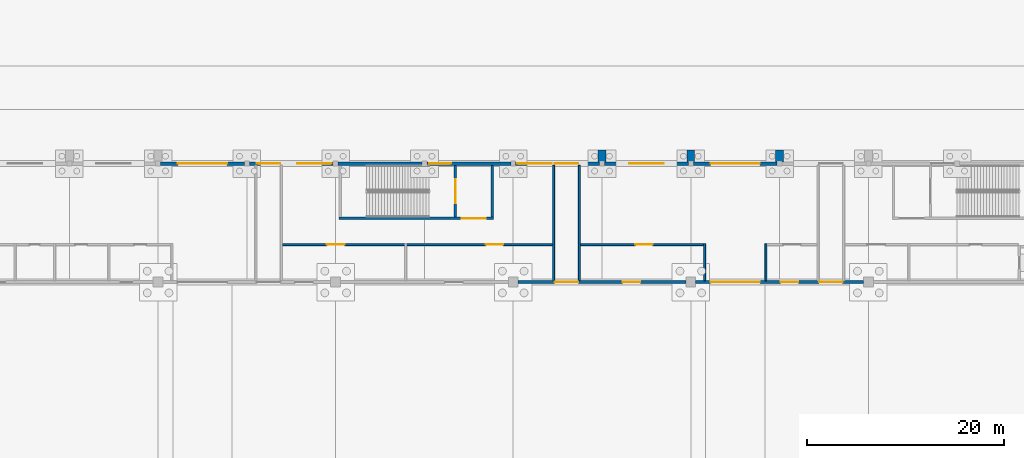
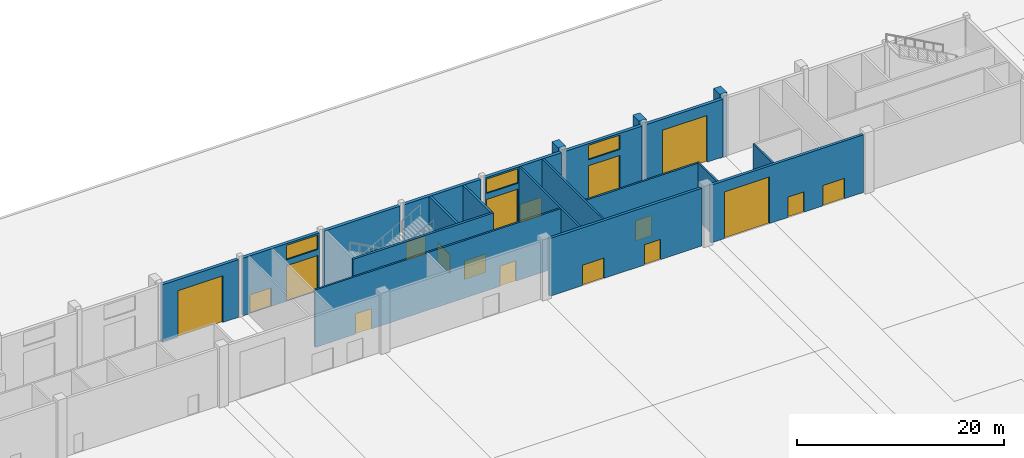
# One storey, part 180 of 239: 21 walls, 18 doors, 3 windows, 21 openings.
"""IFC4 building model written with IfcOpenShell, lengths in metres."""

import ifcopenshell
import ifcopenshell.guid

model = None  # the IFC model being written
_history = None  # IfcOwnerHistory: only IFC2X3 demands one
_inside = {}  # id of a spatial element -> (the spatial element, [elements in it])
_under = {}  # id of a project, library or spatial element -> (it, [spatial elements below it])
_declared = {}  # id of a project -> (the project, [libraries it declares])
_typed = {}  # id of a type object -> (the type object, [elements of that type])
_made_of = {}  # id of a material, layer set ... -> (it, [elements and type objects made of it])


def new_model(schema):
    """Start an empty IFC model of exactly this schema.

    Asked for "IFC4X3", IfcOpenShell would pick the latest addendum, in which some entities
    have other attributes; the version numbers below select the first issue.
    IFC2X3 requires an IfcOwnerHistory on every rooted entity: one is made here for all.
    """
    global model, _history
    if schema == "IFC4X3":
        model = ifcopenshell.file(schema_version=(4, 3, 0, 0))
    else:
        model = ifcopenshell.file(schema=schema)
    _inside.clear()
    _under.clear()
    _declared.clear()
    _typed.clear()
    _made_of.clear()
    _history = None
    if model.schema == "IFC2X3":
        org = make("IfcOrganization", Name="unknown")
        user = make(
            "IfcPersonAndOrganization",
            ThePerson=make("IfcPerson", FamilyName="unknown"),
            TheOrganization=org,
        )
        app = make(
            "IfcApplication",
            ApplicationDeveloper=org,
            Version="unknown",
            ApplicationFullName="unknown",
            ApplicationIdentifier="unknown",
        )
        _history = make(
            "IfcOwnerHistory",
            OwningUser=user,
            OwningApplication=app,
            ChangeAction="ADDED",
            CreationDate=0,
        )
    return model


def make(cls, **values):
    """One entity of the class cls with the attributes given. An attribute that is None is left unset."""
    return model.create_entity(
        cls, **{name: value for name, value in values.items() if value is not None}
    )


def rooted(cls, **values):
    """An entity with a GlobalId (a new one), such as an element, a storey or a relation."""
    return make(cls, GlobalId=ifcopenshell.guid.new(), OwnerHistory=_history, **values)


def si_unit(unit_type, name, prefix=None):
    """IfcSIUnit, for example si_unit("LENGTHUNIT", "METRE", prefix="MILLI")."""
    return make("IfcSIUnit", UnitType=unit_type, Prefix=prefix, Name=name)


def assignment(units):
    """IfcUnitAssignment: the units of a project."""
    return None if units is None else make("IfcUnitAssignment", Units=units)


def point(xyz):
    """IfcCartesianPoint."""
    return None if xyz is None else make("IfcCartesianPoint", Coordinates=xyz)


def direction(xyz):
    """IfcDirection."""
    return None if xyz is None else make("IfcDirection", DirectionRatios=xyz)


def frame(location, z_axis=None, x_axis=None):
    """IfcAxis2Placement3D, a coordinate frame: its origin and axes. An axis left out is left unset."""
    return make(
        "IfcAxis2Placement3D",
        Location=point(location),
        Axis=direction(z_axis),
        RefDirection=direction(x_axis),
    )


def frame_2d(location, x_axis=None):
    """IfcAxis2Placement2D, a coordinate frame in the plane: its origin and x axis."""
    return make(
        "IfcAxis2Placement2D", Location=point(location), RefDirection=direction(x_axis)
    )


def origin():
    """The frame at (0, 0, 0) with its axes left unset."""
    return frame((0.0, 0.0, 0.0))


def place(relative_to, where):
    """IfcLocalPlacement: puts the frame where relative to a parent placement (None: the world)."""
    return make(
        "IfcLocalPlacement", PlacementRelTo=relative_to, RelativePlacement=where
    )


def context(
    kind, dimensions, precision=None, world=None, true_north=None, identifier=None
):
    """IfcGeometricRepresentationContext, for example the 3D "Model" context."""
    return make(
        "IfcGeometricRepresentationContext",
        ContextIdentifier=identifier,
        ContextType=kind,
        CoordinateSpaceDimension=dimensions,
        Precision=precision,
        WorldCoordinateSystem=world,
        TrueNorth=true_north,
    )


def subcontext(parent, identifier, kind, view, scale=None):
    """IfcGeometricRepresentationSubContext, for example "Body" below "Model"."""
    return make(
        "IfcGeometricRepresentationSubContext",
        ContextIdentifier=identifier,
        ContextType=kind,
        ParentContext=parent,
        TargetScale=scale,
        TargetView=view,
    )


def project(units=None, contexts=None):
    """IfcProject with its units and contexts."""
    return rooted(
        "IfcProject",
        Name="project",
        RepresentationContexts=contexts,
        UnitsInContext=assignment(units),
    )


def spatial(cls, under=None, at=None, **own):
    """A site, building, storey or space (cls), placed at a placement, below another one or the project."""
    s = rooted(cls, ObjectPlacement=at, **own)
    if under is not None:
        _under.setdefault(under.id(), (under, []))[1].append(s)
    return s


def profile(cls, at=None, kind="AREA", **sizes):
    """A parametric profile (cls). Its sizes go by their IFC names, for example OverallWidth=200.0."""
    return make(cls, ProfileType=kind, Position=at, **sizes)


def rectangle(**sizes):
    """IfcRectangleProfileDef."""
    return profile("IfcRectangleProfileDef", **sizes)


def extrude(swept, where, along, depth):
    """IfcExtrudedAreaSolid: the profile swept, set in the frame where, extruded along a direction by depth."""
    return make(
        "IfcExtrudedAreaSolid",
        SweptArea=swept,
        Position=where,
        ExtrudedDirection=direction(along),
        Depth=depth,
    )


def shape(context_of_items, identifier, shape_type, items):
    """IfcShapeRepresentation: the items that make up one representation, for example the "Body"."""
    return make(
        "IfcShapeRepresentation",
        ContextOfItems=context_of_items,
        RepresentationIdentifier=identifier,
        RepresentationType=shape_type,
        Items=items,
    )


def material(Name=None, Category=None):
    """IfcMaterial."""
    return make("IfcMaterial", Name=Name, Category=Category)


def layer(
    of_material, thickness, ventilated=None, Name=None, Category=None, Priority=None
):
    """IfcMaterialLayer: one layer of a wall or slab, of a material (None: an air gap)."""
    return make(
        "IfcMaterialLayer",
        Material=of_material,
        LayerThickness=thickness,
        IsVentilated=ventilated,
        Name=Name,
        Category=Category,
        Priority=Priority,
    )


def layer_set(layers, Name=None):
    """IfcMaterialLayerSet."""
    return make("IfcMaterialLayerSet", MaterialLayers=layers, LayerSetName=Name)


def made_of(thing, what):
    """Note that an element or type object is made of a material, layer set ...; save() writes the relation."""
    if what is not None:
        _made_of.setdefault(what.id(), (what, []))[1].append(thing)
    return thing


def type_object(cls, material=None, **own):
    """A type object (cls), such as IfcWallType, which elements share."""
    return made_of(rooted(cls, **own), material)


def element(
    cls,
    number,
    at=None,
    inside=None,
    cuts=None,
    type_object=None,
    material=None,
    context=None,
    identifier="Body",
    shape_type=None,
    held_by="IfcProductDefinitionShape",
    body=None,
    shapes=None,
    **own,
):
    """One element of the class cls, such as IfcWall. Its Tag is "e" and its number.

    at: its placement. inside: the storey or other place that contains it. cuts: it is an
    opening in that element (IfcRelVoidsElement). A single representation is given by context,
    identifier, shape_type and body (its items); several are given by shapes. held_by: the class
    of the entity that holds the representations. save() writes the other relations.
    """
    e = rooted(cls, Tag="e%d" % number, ObjectPlacement=at, **own)
    if body is not None:
        shapes = [shape(context, identifier, shape_type, body)]
    if shapes is not None:
        e.Representation = make(held_by, Representations=shapes)
    if inside is not None:
        _inside.setdefault(inside.id(), (inside, []))[1].append(e)
    if cuts is not None:
        rooted(
            "IfcRelVoidsElement", RelatingBuildingElement=cuts, RelatedOpeningElement=e
        )
    if type_object is not None:
        _typed.setdefault(type_object.id(), (type_object, []))[1].append(e)
    return made_of(e, material)


def fill(opening, filler):
    """IfcRelFillsElement: the door or window that sits in an opening."""
    return rooted(
        "IfcRelFillsElement",
        RelatingOpeningElement=opening,
        RelatedBuildingElement=filler,
    )


def aggregate(whole, parts):
    """IfcRelAggregates: a whole, such as a stair, and the parts it consists of."""
    return rooted("IfcRelAggregates", RelatingObject=whole, RelatedObjects=parts)


def save(model, path):
    """Write the relations noted so far, then the file.

    IfcRelAggregates (storeys below a building ...), IfcRelContainedInSpatialStructure (elements
    in a storey), IfcRelDefinesByType, IfcRelAssociatesMaterial and IfcRelDeclares: one each for
    every whole, place, type object, material and project.
    """
    for whole, parts in _under.values():
        aggregate(whole, parts)
    for where, things in _inside.values():
        rooted(
            "IfcRelContainedInSpatialStructure",
            RelatedElements=things,
            RelatingStructure=where,
        )
    for kind, things in _typed.values():
        rooted("IfcRelDefinesByType", RelatedObjects=things, RelatingType=kind)
    for what, things in _made_of.values():
        rooted("IfcRelAssociatesMaterial", RelatedObjects=things, RelatingMaterial=what)
    for by, libraries in _declared.values():
        rooted("IfcRelDeclares", RelatingContext=by, RelatedDefinitions=libraries)
    model.write(path)


model = new_model("IFC4")

# Units and contexts
model_context = context("Model", 3, precision=1e-05, world=origin(), true_north=direction((0.0, 1.0)))
body_context = subcontext(model_context, "Body", "Model", "MODEL_VIEW")
ifc_project = project(units=[si_unit("LENGTHUNIT", "METRE"), si_unit("AREAUNIT", "SQUARE_METRE"), si_unit("VOLUMEUNIT", "CUBIC_METRE"), si_unit("PLANEANGLEUNIT", "RADIAN"), si_unit("MASSUNIT", "GRAM", prefix="KILO")], contexts=[model_context])

# Site, building, storey
site_placement = place(None, origin())
site = spatial("IfcSite", under=ifc_project, at=site_placement, CompositionType="ELEMENT")
building_placement = place(site_placement, origin())
building = spatial("IfcBuilding", under=site, at=building_placement, Name="Okhra Congress Centre", CompositionType="ELEMENT")
storey_placement = place(building_placement, origin())
storey = spatial("IfcBuildingStorey", under=building, at=storey_placement, Name="L00", CompositionType="ELEMENT", Elevation=0.0)

# Walls
ifc_material_1 = material(Name="Concrete C35/45", Category="concrete")
ifc_layer_1 = layer(ifc_material_1, 0.800048828125)
ifc_layer_set_1 = layer_set([ifc_layer_1], Name="Buttress fin 800 REI 120 C35/45")
wall_type_1 = type_object("IfcWallType", Name="Buttress fin 800 REI 120 C35/45", PredefinedType="SOLIDWALL", material=ifc_layer_set_1)
for number, where, z_axis, x_axis, name in (
    (1, (109.0, 228.169921875, -0.39990234375), (0.0, 0.0, 1.0), (0.0, 1.0, 0.0), "EH.WALL.L00.66"),
    (2, (118.0, 228.169921875, -0.39990234375), (0.0, 0.0, 1.0), (0.0, 1.0, 0.0), "EH.WALL.L00.67"),
    (3, (127.0, 228.169921875, -0.39990234375), (0.0, 0.0, 1.0), (0.0, 1.0, 0.0), "EH.WALL.L00.68"),
):
    element("IfcWall", number, at=place(storey_placement, frame(where, z_axis=z_axis, x_axis=x_axis)), inside=storey, type_object=wall_type_1, Name=name, PredefinedType="SOLIDWALL", context=body_context, shape_type="SweptSolid", body=[
        extrude(rectangle(XDim=1.205078125, YDim=0.800048828125, at=frame_2d((0.6025390625, 0.0))), origin(), (0.0, 0.0, 1.0), 7.599853515625),
    ])

# Wall, opening, door
ifc_material_2 = material(Name="Insulated metal sandwich panel (mineral wool core)")
ifc_layer_2 = layer(ifc_material_2, 0.35009765625)
ifc_layer_set_2 = layer_set([ifc_layer_2], Name="Insulated wall panel 350")
wall_type_2 = type_object("IfcWallType", Name="Insulated wall panel 350", PredefinedType="SOLIDWALL", material=ifc_layer_set_2)
wall_1_placement = place(storey_placement, frame((64.25, 228.0, 0.0), z_axis=(0.0, 0.0, 1.0), x_axis=(1.0, 0.0, 0.0)))
wall_1 = element("IfcWall", 4, at=wall_1_placement, inside=storey, type_object=wall_type_2, Name="EH.WALL.L00.43", PredefinedType="SOLIDWALL", context=body_context, shape_type="SweptSolid", body=[
    extrude(rectangle(XDim=8.5, YDim=0.35009765625, at=frame_2d((4.25, 0.0))), origin(), (0.0, 0.0, 1.0), 6.800048828125),
])
opening_1_placement = place(wall_1_placement, frame((1.75, 0.0, 0.0)))
opening_1 = element("IfcOpeningElement", 5, at=opening_1_placement, cuts=wall_1, Name="Opening L00-046", PredefinedType="OPENING", context=body_context, shape_type="SweptSolid", body=[
    extrude(rectangle(XDim=5.0, YDim=5.5, at=frame_2d((2.5, 2.75))), frame((0.0, 0.18505859375, 0.0), z_axis=(0.0, -1.0, 0.0), x_axis=(1.0, 0.0, 0.0)), (0.0, 0.0, 1.0), 0.3701171875),
])
ifc_material_3 = material(Name="Insulated steel slat roller shutter", Category="steel")
door_type_1 = type_object("IfcDoorType", Name="Roller shutter door 5000x5500", OperationType="ROLLINGUP", PredefinedType="DOOR", material=ifc_material_3)
door_1_placement = place(opening_1_placement, origin())
door_1 = element("IfcDoor", 6, at=door_1_placement, inside=storey, type_object=door_type_1, Name="Door L00-046", OperationType="ROLLINGUP", OverallHeight=5.5, OverallWidth=5.0, PredefinedType="DOOR", context=body_context, shape_type="SweptSolid", body=[
    extrude(rectangle(XDim=5.0, YDim=5.5, at=frame_2d((2.5, 2.75))), frame((0.0, 0.02490234375, 0.0), z_axis=(0.0, -1.0, 0.0), x_axis=(1.0, 0.0, 0.0)), (0.0, 0.0, 1.0), 0.050048828125),
])
fill(opening_1, door_1)

# Wall, openings, doors, window
wall_2_placement = place(storey_placement, frame((73.25, 228.0, 0.0), z_axis=(0.0, 0.0, 1.0), x_axis=(1.0, 0.0, 0.0)))
wall_2 = element("IfcWall", 7, at=wall_2_placement, inside=storey, type_object=wall_type_2, Name="EH.WALL.L00.44", PredefinedType="SOLIDWALL", context=body_context, shape_type="SweptSolid", body=[
    extrude(rectangle(XDim=8.5, YDim=0.35009765625, at=frame_2d((4.25, 0.0))), origin(), (0.0, 0.0, 1.0), 6.800048828125),
])
opening_2_placement = place(wall_2_placement, frame((4.85009765625, 0.0, 0.0)))
opening_2 = element("IfcOpeningElement", 8, at=opening_2_placement, cuts=wall_2, Name="Opening L00-047", PredefinedType="OPENING", context=body_context, shape_type="SweptSolid", body=[
    extrude(rectangle(XDim=3.5, YDim=4.199951171875, at=frame_2d((1.75, 2.10009765625))), frame((0.0, 0.18505859375, 0.0), z_axis=(0.0, -1.0, 0.0), x_axis=(1.0, 0.0, 0.0)), (0.0, 0.0, 1.0), 0.3701171875),
])
opening_3_placement = place(wall_2_placement, frame((4.85009765625, 0.0, 4.89990234375)))
opening_3 = element("IfcOpeningElement", 9, at=opening_3_placement, cuts=wall_2, Name="Opening WN8", PredefinedType="OPENING", context=body_context, shape_type="SweptSolid", body=[
    extrude(rectangle(XDim=3.5, YDim=1.699951171875, at=frame_2d((1.75, 0.85009765625))), frame((0.0, 0.18505859375, 0.0), z_axis=(0.0, -1.0, 0.0), x_axis=(1.0, 0.0, 0.0)), (0.0, 0.0, 1.0), 0.3701171875),
])
opening_4_placement = place(wall_2_placement, frame((0.75, 0.0, 0.0)))
opening_4 = element("IfcOpeningElement", 10, at=opening_4_placement, cuts=wall_2, Name="Opening L00-054", PredefinedType="OPENING", context=body_context, shape_type="SweptSolid", body=[
    extrude(rectangle(XDim=2.39990234375, YDim=2.199951171875, at=frame_2d((1.199951171875, 1.10009765625))), frame((0.0, 0.18505859375, 0.0), z_axis=(0.0, -1.0, 0.0), x_axis=(1.0, 0.0, 0.0)), (0.0, 0.0, 1.0), 0.3701171875),
])
ifc_material_4 = material(Name="Timber door leaves in steel frame", Category="steel")
door_type_2 = type_object("IfcDoorType", Name="Double swing door 2400x2200", OperationType="NOTDEFINED", PredefinedType="DOOR", material=ifc_material_4)
door_2_placement = place(opening_4_placement, origin())
door_2 = element("IfcDoor", 11, at=door_2_placement, inside=storey, type_object=door_type_2, Name="Door L00-054", OperationType="DOUBLE_DOOR_SINGLE_SWING", OverallHeight=2.199951171875, OverallWidth=2.39990234375, PredefinedType="DOOR", context=body_context, shape_type="SweptSolid", body=[
    extrude(rectangle(XDim=2.39990234375, YDim=2.199951171875, at=frame_2d((1.199951171875, 1.10009765625))), frame((0.0, 0.02490234375, 0.0), z_axis=(0.0, -1.0, 0.0), x_axis=(1.0, 0.0, 0.0)), (0.0, 0.0, 1.0), 0.050048828125),
])
fill(opening_4, door_2)
ifc_material_5 = material(Name="Thermally broken aluminium frame, triple glazing", Category="aluminium")
window_type = type_object("IfcWindowType", Name="Fixed window 3500x1700", PartitioningType="SINGLE_PANEL", PredefinedType="WINDOW", material=ifc_material_5)
window_1_placement = place(opening_3_placement, origin())
window_1 = element("IfcWindow", 12, at=window_1_placement, inside=storey, type_object=window_type, Name="EH.WIN.L00.38", OverallHeight=1.699951171875, OverallWidth=3.5, PartitioningType="SINGLE_PANEL", PredefinedType="WINDOW", context=body_context, shape_type="SweptSolid", body=[
    extrude(rectangle(XDim=3.5, YDim=1.699951171875, at=frame_2d((1.75, 0.85009765625))), frame((0.0, 0.030029296875, 0.0), z_axis=(0.0, -1.0, 0.0), x_axis=(1.0, 0.0, 0.0)), (0.0, 0.0, 1.0), 0.06005859375),
])
fill(opening_3, window_1)
door_type_3 = type_object("IfcDoorType", Name="Roller shutter door 3500x4200", OperationType="ROLLINGUP", PredefinedType="DOOR", material=ifc_material_3)
door_3_placement = place(opening_2_placement, origin())
door_3 = element("IfcDoor", 13, at=door_3_placement, inside=storey, type_object=door_type_3, Name="Door L00-047", OperationType="ROLLINGUP", OverallHeight=4.199951171875, OverallWidth=3.5, PredefinedType="DOOR", context=body_context, shape_type="SweptSolid", body=[
    extrude(rectangle(XDim=3.5, YDim=4.199951171875, at=frame_2d((1.75, 2.10009765625))), frame((0.0, 0.02490234375, 0.0), z_axis=(0.0, -1.0, 0.0), x_axis=(1.0, 0.0, 0.0)), (0.0, 0.0, 1.0), 0.050048828125),
])
fill(opening_2, door_3)

wall_3_placement = place(storey_placement, frame((100.25, 228.0, 0.0), z_axis=(0.0, 0.0, 1.0), x_axis=(1.0, 0.0, 0.0)))
wall_3 = element("IfcWall", 14, at=wall_3_placement, inside=storey, type_object=wall_type_2, Name="EH.WALL.L00.47", PredefinedType="SOLIDWALL", context=body_context, shape_type="SweptSolid", body=[
    extrude(rectangle(XDim=8.5, YDim=0.35009765625, at=frame_2d((4.25, 0.0))), origin(), (0.0, 0.0, 1.0), 6.800048828125),
])
opening_5_placement = place(wall_3_placement, frame((0.14990234375, 0.0, 0.0)))
opening_5 = element("IfcOpeningElement", 15, at=opening_5_placement, cuts=wall_3, Name="Opening L00-048", PredefinedType="OPENING", context=body_context, shape_type="SweptSolid", body=[
    extrude(rectangle(XDim=3.5, YDim=4.199951171875, at=frame_2d((1.75, 2.10009765625))), frame((0.0, 0.18505859375, 0.0), z_axis=(0.0, -1.0, 0.0), x_axis=(1.0, 0.0, 0.0)), (0.0, 0.0, 1.0), 0.3701171875),
])
opening_6_placement = place(wall_3_placement, frame((0.14990234375, 0.0, 4.89990234375)))
opening_6 = element("IfcOpeningElement", 16, at=opening_6_placement, cuts=wall_3, Name="Opening WN8", PredefinedType="OPENING", context=body_context, shape_type="SweptSolid", body=[
    extrude(rectangle(XDim=3.5, YDim=1.699951171875, at=frame_2d((1.75, 0.85009765625))), frame((0.0, 0.18505859375, 0.0), z_axis=(0.0, -1.0, 0.0), x_axis=(1.0, 0.0, 0.0)), (0.0, 0.0, 1.0), 0.3701171875),
])
opening_7_placement = place(wall_3_placement, frame((3.949951171875, 0.0, 0.0)))
opening_7 = element("IfcOpeningElement", 17, at=opening_7_placement, cuts=wall_3, Name="Opening L00-055", PredefinedType="OPENING", context=body_context, shape_type="SweptSolid", body=[
    extrude(rectangle(XDim=2.39990234375, YDim=2.199951171875, at=frame_2d((1.199951171875, 1.10009765625))), frame((0.0, 0.18505859375, 0.0), z_axis=(0.0, -1.0, 0.0), x_axis=(1.0, 0.0, 0.0)), (0.0, 0.0, 1.0), 0.3701171875),
])
door_4_placement = place(opening_7_placement, origin())
door_4 = element("IfcDoor", 18, at=door_4_placement, inside=storey, type_object=door_type_2, Name="Door L00-055", OperationType="DOUBLE_DOOR_SINGLE_SWING", OverallHeight=2.199951171875, OverallWidth=2.39990234375, PredefinedType="DOOR", context=body_context, shape_type="SweptSolid", body=[
    extrude(rectangle(XDim=2.39990234375, YDim=2.199951171875, at=frame_2d((1.199951171875, 1.10009765625))), frame((0.0, 0.02490234375, 0.0), z_axis=(0.0, -1.0, 0.0), x_axis=(1.0, 0.0, 0.0)), (0.0, 0.0, 1.0), 0.050048828125),
])
fill(opening_7, door_4)
window_2_placement = place(opening_6_placement, origin())
window_2 = element("IfcWindow", 19, at=window_2_placement, inside=storey, type_object=window_type, Name="EH.WIN.L00.39", OverallHeight=1.699951171875, OverallWidth=3.5, PartitioningType="SINGLE_PANEL", PredefinedType="WINDOW", context=body_context, shape_type="SweptSolid", body=[
    extrude(rectangle(XDim=3.5, YDim=1.699951171875, at=frame_2d((1.75, 0.85009765625))), frame((0.0, 0.030029296875, 0.0), z_axis=(0.0, -1.0, 0.0), x_axis=(1.0, 0.0, 0.0)), (0.0, 0.0, 1.0), 0.06005859375),
])
fill(opening_6, window_2)
door_5_placement = place(opening_5_placement, origin())
door_5 = element("IfcDoor", 20, at=door_5_placement, inside=storey, type_object=door_type_3, Name="Door L00-048", OperationType="ROLLINGUP", OverallHeight=4.199951171875, OverallWidth=3.5, PredefinedType="DOOR", context=body_context, shape_type="SweptSolid", body=[
    extrude(rectangle(XDim=3.5, YDim=4.199951171875, at=frame_2d((1.75, 2.10009765625))), frame((0.0, 0.02490234375, 0.0), z_axis=(0.0, -1.0, 0.0), x_axis=(1.0, 0.0, 0.0)), (0.0, 0.0, 1.0), 0.050048828125),
])
fill(opening_5, door_5)

# Wall, openings, window, door
wall_4_placement = place(storey_placement, frame((109.25, 228.0, 0.0), z_axis=(0.0, 0.0, 1.0), x_axis=(1.0, 0.0, 0.0)))
wall_4 = element("IfcWall", 21, at=wall_4_placement, inside=storey, type_object=wall_type_2, Name="EH.WALL.L00.48", PredefinedType="SOLIDWALL", context=body_context, shape_type="SweptSolid", body=[
    extrude(rectangle(XDim=8.5, YDim=0.35009765625, at=frame_2d((4.25, 0.0))), origin(), (0.0, 0.0, 1.0), 6.800048828125),
])
opening_8_placement = place(wall_4_placement, frame((2.5, 0.0, 0.0)))
opening_8 = element("IfcOpeningElement", 22, at=opening_8_placement, cuts=wall_4, Name="Opening L00-049", PredefinedType="OPENING", context=body_context, shape_type="SweptSolid", body=[
    extrude(rectangle(XDim=3.5, YDim=4.199951171875, at=frame_2d((1.75, 2.10009765625))), frame((0.0, 0.18505859375, 0.0), z_axis=(0.0, -1.0, 0.0), x_axis=(1.0, 0.0, 0.0)), (0.0, 0.0, 1.0), 0.3701171875),
])
opening_9_placement = place(wall_4_placement, frame((2.5, 0.0, 4.89990234375)))
opening_9 = element("IfcOpeningElement", 23, at=opening_9_placement, cuts=wall_4, Name="Opening WN8", PredefinedType="OPENING", context=body_context, shape_type="SweptSolid", body=[
    extrude(rectangle(XDim=3.5, YDim=1.699951171875, at=frame_2d((1.75, 0.85009765625))), frame((0.0, 0.18505859375, 0.0), z_axis=(0.0, -1.0, 0.0), x_axis=(1.0, 0.0, 0.0)), (0.0, 0.0, 1.0), 0.3701171875),
])
window_3_placement = place(opening_9_placement, origin())
window_3 = element("IfcWindow", 24, at=window_3_placement, inside=storey, type_object=window_type, Name="EH.WIN.L00.40", OverallHeight=1.699951171875, OverallWidth=3.5, PartitioningType="SINGLE_PANEL", PredefinedType="WINDOW", context=body_context, shape_type="SweptSolid", body=[
    extrude(rectangle(XDim=3.5, YDim=1.699951171875, at=frame_2d((1.75, 0.85009765625))), frame((0.0, 0.030029296875, 0.0), z_axis=(0.0, -1.0, 0.0), x_axis=(1.0, 0.0, 0.0)), (0.0, 0.0, 1.0), 0.06005859375),
])
fill(opening_9, window_3)
door_6_placement = place(opening_8_placement, origin())
door_6 = element("IfcDoor", 25, at=door_6_placement, inside=storey, type_object=door_type_3, Name="Door L00-049", OperationType="ROLLINGUP", OverallHeight=4.199951171875, OverallWidth=3.5, PredefinedType="DOOR", context=body_context, shape_type="SweptSolid", body=[
    extrude(rectangle(XDim=3.5, YDim=4.199951171875, at=frame_2d((1.75, 2.10009765625))), frame((0.0, 0.02490234375, 0.0), z_axis=(0.0, -1.0, 0.0), x_axis=(1.0, 0.0, 0.0)), (0.0, 0.0, 1.0), 0.050048828125),
])
fill(opening_8, door_6)

# Wall, opening, door
wall_5_placement = place(storey_placement, frame((118.25, 228.0, 0.0), z_axis=(0.0, 0.0, 1.0), x_axis=(1.0, 0.0, 0.0)))
wall_5 = element("IfcWall", 26, at=wall_5_placement, inside=storey, type_object=wall_type_2, Name="EH.WALL.L00.49", PredefinedType="SOLIDWALL", context=body_context, shape_type="SweptSolid", body=[
    extrude(rectangle(XDim=8.5, YDim=0.35009765625, at=frame_2d((4.25, 0.0))), origin(), (0.0, 0.0, 1.0), 6.800048828125),
])
opening_10_placement = place(wall_5_placement, frame((1.75, 0.0, 0.0)))
opening_10 = element("IfcOpeningElement", 27, at=opening_10_placement, cuts=wall_5, Name="Opening L00-050", PredefinedType="OPENING", context=body_context, shape_type="SweptSolid", body=[
    extrude(rectangle(XDim=5.0, YDim=5.5, at=frame_2d((2.5, 2.75))), frame((0.0, 0.18505859375, 0.0), z_axis=(0.0, -1.0, 0.0), x_axis=(1.0, 0.0, 0.0)), (0.0, 0.0, 1.0), 0.3701171875),
])
door_7_placement = place(opening_10_placement, origin())
door_7 = element("IfcDoor", 28, at=door_7_placement, inside=storey, type_object=door_type_1, Name="Door L00-050", OperationType="ROLLINGUP", OverallHeight=5.5, OverallWidth=5.0, PredefinedType="DOOR", context=body_context, shape_type="SweptSolid", body=[
    extrude(rectangle(XDim=5.0, YDim=5.5, at=frame_2d((2.5, 2.75))), frame((0.0, 0.02490234375, 0.0), z_axis=(0.0, -1.0, 0.0), x_axis=(1.0, 0.0, 0.0)), (0.0, 0.0, 1.0), 0.050048828125),
])
fill(opening_10, door_7)

# Wall, openings, doors
ifc_material_6 = material(Name="Masonry blockwork (aerated concrete D500)", Category="masonry")
ifc_layer_3 = layer(ifc_material_6, 0.199951171875)
ifc_layer_set_3 = layer_set([ifc_layer_3], Name="Masonry block wall 200 EI 45")
wall_type_3 = type_object("IfcWallType", Name="Masonry block wall 200 EI 45", PredefinedType="SOLIDWALL", material=ifc_layer_set_3)
wall_6_placement = place(storey_placement, frame((76.60009765625, 219.800048828125, 0.0), z_axis=(0.0, 0.0, 1.0), x_axis=(1.0, 0.0, 0.0)))
wall_6 = element("IfcWall", 29, at=wall_6_placement, inside=storey, type_object=wall_type_3, Name="EH.WALL.L00.71", PredefinedType="SOLIDWALL", context=body_context, shape_type="SweptSolid", body=[
    extrude(rectangle(XDim=27.39990234375, YDim=0.199951171875, at=frame_2d((13.699951171875, 0.0))), origin(), (0.0, 0.0, 1.0), 6.800048828125),
])
opening_11_placement = place(wall_6_placement, frame((4.5, 0.0, 0.0)))
opening_11 = element("IfcOpeningElement", 30, at=opening_11_placement, cuts=wall_6, Name="Opening L00-066", PredefinedType="OPENING", context=body_context, shape_type="SweptSolid", body=[
    extrude(rectangle(XDim=1.800048828125, YDim=2.39990234375, at=frame_2d((0.89990234375, 1.199951171875))), frame((0.0, 0.10986328125, 0.0), z_axis=(0.0, -1.0, 0.0), x_axis=(1.0, 0.0, 0.0)), (0.0, 0.0, 1.0), 0.219970703125),
])
opening_12_placement = place(wall_6_placement, frame((20.60009765625, 0.0, 0.0)))
opening_12 = element("IfcOpeningElement", 31, at=opening_12_placement, cuts=wall_6, Name="Opening L00-067", PredefinedType="OPENING", context=body_context, shape_type="SweptSolid", body=[
    extrude(rectangle(XDim=1.800048828125, YDim=2.39990234375, at=frame_2d((0.89990234375, 1.199951171875))), frame((0.0, 0.10986328125, 0.0), z_axis=(0.0, -1.0, 0.0), x_axis=(1.0, 0.0, 0.0)), (0.0, 0.0, 1.0), 0.219970703125),
])
ifc_material_7 = material(Name="Steel fire door leaves in steel frame, intumescent seals", Category="steel")
door_type_4 = type_object("IfcDoorType", Name="Steel fire door pair 1800x2400 EI 30", OperationType="NOTDEFINED", PredefinedType="DOOR", material=ifc_material_7)
door_8_placement = place(opening_11_placement, frame((1.800048828125, 0.0, 0.0), z_axis=(0.0, 0.0, 1.0), x_axis=(-1.0, 0.0, 0.0)))
door_8 = element("IfcDoor", 32, at=door_8_placement, inside=storey, type_object=door_type_4, Name="Door L00-066", OperationType="DOUBLE_DOOR_SINGLE_SWING", OverallHeight=2.39990234375, OverallWidth=1.800048828125, PredefinedType="DOOR", context=body_context, shape_type="SweptSolid", body=[
    extrude(rectangle(XDim=1.800048828125, YDim=2.39990234375, at=frame_2d((0.89990234375, 1.199951171875))), frame((0.0, 0.02490234375, 0.0), z_axis=(0.0, -1.0, 0.0), x_axis=(1.0, 0.0, 0.0)), (0.0, 0.0, 1.0), 0.050048828125),
])
fill(opening_11, door_8)
door_9_placement = place(opening_12_placement, frame((1.800048828125, 0.0, 0.0), z_axis=(0.0, 0.0, 1.0), x_axis=(-1.0, 0.0, 0.0)))
door_9 = element("IfcDoor", 33, at=door_9_placement, inside=storey, type_object=door_type_4, Name="Door L00-067", OperationType="DOUBLE_DOOR_SINGLE_SWING", OverallHeight=2.39990234375, OverallWidth=1.800048828125, PredefinedType="DOOR", context=body_context, shape_type="SweptSolid", body=[
    extrude(rectangle(XDim=1.800048828125, YDim=2.39990234375, at=frame_2d((0.89990234375, 1.199951171875))), frame((0.0, 0.02490234375, 0.0), z_axis=(0.0, -1.0, 0.0), x_axis=(1.0, 0.0, 0.0)), (0.0, 0.0, 1.0), 0.050048828125),
])
fill(opening_12, door_9)

# Wall, opening, door
wall_7_placement = place(storey_placement, frame((106.800048828125, 219.800048828125, 0.0), z_axis=(0.0, 0.0, 1.0), x_axis=(1.0, 0.0, 0.0)))
wall_7 = element("IfcWall", 34, at=wall_7_placement, inside=storey, type_object=wall_type_3, Name="EH.WALL.L00.72", PredefinedType="SOLIDWALL", context=body_context, shape_type="SweptSolid", body=[
    extrude(rectangle(XDim=12.5, YDim=0.199951171875, at=frame_2d((6.25, 0.0))), origin(), (0.0, 0.0, 1.0), 6.800048828125),
])
opening_13_placement = place(wall_7_placement, frame((5.550048828125, 0.0, 0.0)))
opening_13 = element("IfcOpeningElement", 35, at=opening_13_placement, cuts=wall_7, Name="Opening L00-068", PredefinedType="OPENING", context=body_context, shape_type="SweptSolid", body=[
    extrude(rectangle(XDim=1.800048828125, YDim=2.39990234375, at=frame_2d((0.89990234375, 1.199951171875))), frame((0.0, 0.10986328125, 0.0), z_axis=(0.0, -1.0, 0.0), x_axis=(1.0, 0.0, 0.0)), (0.0, 0.0, 1.0), 0.219970703125),
])
door_10_placement = place(opening_13_placement, frame((1.800048828125, 0.0, 0.0), z_axis=(0.0, 0.0, 1.0), x_axis=(-1.0, 0.0, 0.0)))
door_10 = element("IfcDoor", 36, at=door_10_placement, inside=storey, type_object=door_type_4, Name="Door L00-068", OperationType="DOUBLE_DOOR_SINGLE_SWING", OverallHeight=2.39990234375, OverallWidth=1.800048828125, PredefinedType="DOOR", context=body_context, shape_type="SweptSolid", body=[
    extrude(rectangle(XDim=1.800048828125, YDim=2.39990234375, at=frame_2d((0.89990234375, 1.199951171875))), frame((0.0, 0.02490234375, 0.0), z_axis=(0.0, -1.0, 0.0), x_axis=(1.0, 0.0, 0.0)), (0.0, 0.0, 1.0), 0.050048828125),
])
fill(opening_13, door_10)

# Walls
for number, where, z_axis, x_axis, name in (
    (37, (119.39990234375, 216.14990234375, 0.0), (0.0, 0.0, 1.0), (0.0, 1.0, 0.0), "EH.WALL.L00.83"),
    (38, (125.60009765625, 216.14990234375, 0.0), (0.0, 0.0, 1.0), (0.0, 1.0, 0.0), "EH.WALL.L00.84"),
):
    element("IfcWall", number, at=place(storey_placement, frame(where, z_axis=z_axis, x_axis=x_axis)), inside=storey, type_object=wall_type_3, Name=name, PredefinedType="SOLIDWALL", context=body_context, shape_type="SweptSolid", body=[
        extrude(rectangle(XDim=3.75, YDim=0.199951171875, at=frame_2d((1.875, 0.0))), origin(), (0.0, 0.0, 1.0), 6.800048828125),
    ])

# Wall, openings, doors
ifc_material_8 = material(Name="Concrete C30/37", Category="concrete")
ifc_layer_4 = layer(ifc_material_8, 0.300048828125)
ifc_layer_set_4 = layer_set([ifc_layer_4], Name="RC fire wall 300 REI 150 C30/37")
wall_type_4 = type_object("IfcWallType", Name="RC fire wall 300 REI 150 C30/37", PredefinedType="SOLIDWALL", material=ifc_layer_set_4)
wall_8_placement = place(storey_placement, frame((100.5, 216.0, 0.0), z_axis=(0.0, 0.0, 1.0), x_axis=(1.0, 0.0, 0.0)))
wall_8 = element("IfcWall", 39, at=wall_8_placement, inside=storey, type_object=wall_type_4, Name="EH.WALL.L00.26", PredefinedType="SOLIDWALL", context=body_context, shape_type="SweptSolid", body=[
    extrude(rectangle(XDim=17.0, YDim=0.300048828125, at=frame_2d((8.5, 0.0))), origin(), (0.0, 0.0, 1.0), 6.800048828125),
])
opening_14_placement = place(wall_8_placement, frame((10.60009765625, 0.0, 0.0)))
opening_14 = element("IfcOpeningElement", 40, at=opening_14_placement, cuts=wall_8, Name="Opening L00-025", PredefinedType="OPENING", context=body_context, shape_type="SweptSolid", body=[
    extrude(rectangle(XDim=1.800048828125, YDim=2.39990234375, at=frame_2d((0.89990234375, 1.199951171875))), frame((0.0, 0.159912109375, 0.0), z_axis=(0.0, -1.0, 0.0), x_axis=(1.0, 0.0, 0.0)), (0.0, 0.0, 1.0), 0.320068359375),
])
opening_15_placement = place(wall_8_placement, frame((3.699951171875, 0.0, 0.0)))
opening_15 = element("IfcOpeningElement", 41, at=opening_15_placement, cuts=wall_8, Name="Opening L00-030", PredefinedType="OPENING", context=body_context, shape_type="SweptSolid", body=[
    extrude(rectangle(XDim=2.39990234375, YDim=2.39990234375, at=frame_2d((1.199951171875, 1.199951171875))), frame((0.0, 0.159912109375, 0.0), z_axis=(0.0, -1.0, 0.0), x_axis=(1.0, 0.0, 0.0)), (0.0, 0.0, 1.0), 0.320068359375),
])
door_type_5 = type_object("IfcDoorType", Name="Steel fire door pair 1800x2400 EI 60", OperationType="NOTDEFINED", PredefinedType="DOOR", material=ifc_material_7)
door_11_placement = place(opening_14_placement, frame((1.800048828125, 0.0, 0.0), z_axis=(0.0, 0.0, 1.0), x_axis=(-1.0, 0.0, 0.0)))
door_11 = element("IfcDoor", 42, at=door_11_placement, inside=storey, type_object=door_type_5, Name="Door L00-025", OperationType="DOUBLE_DOOR_SINGLE_SWING", OverallHeight=2.39990234375, OverallWidth=1.800048828125, PredefinedType="DOOR", context=body_context, shape_type="SweptSolid", body=[
    extrude(rectangle(XDim=1.800048828125, YDim=2.39990234375, at=frame_2d((0.89990234375, 1.199951171875))), frame((0.0, 0.02490234375, 0.0), z_axis=(0.0, -1.0, 0.0), x_axis=(1.0, 0.0, 0.0)), (0.0, 0.0, 1.0), 0.050048828125),
])
fill(opening_14, door_11)
door_type_6 = type_object("IfcDoorType", Name="Steel fire door pair 2400x2400 EI 60", OperationType="NOTDEFINED", PredefinedType="DOOR", material=ifc_material_7)
door_12_placement = place(opening_15_placement, origin())
door_12 = element("IfcDoor", 43, at=door_12_placement, inside=storey, type_object=door_type_6, Name="Door L00-030", OperationType="DOUBLE_DOOR_SINGLE_SWING", OverallHeight=2.39990234375, OverallWidth=2.39990234375, PredefinedType="DOOR", context=body_context, shape_type="SweptSolid", body=[
    extrude(rectangle(XDim=2.39990234375, YDim=2.39990234375, at=frame_2d((1.199951171875, 1.199951171875))), frame((0.0, 0.02490234375, 0.0), z_axis=(0.0, -1.0, 0.0), x_axis=(1.0, 0.0, 0.0)), (0.0, 0.0, 1.0), 0.050048828125),
])
fill(opening_15, door_12)

wall_9_placement = place(storey_placement, frame((118.5, 216.0, 0.0), z_axis=(0.0, 0.0, 1.0), x_axis=(1.0, 0.0, 0.0)))
wall_9 = element("IfcWall", 44, at=wall_9_placement, inside=storey, type_object=wall_type_4, Name="EH.WALL.L00.27", PredefinedType="SOLIDWALL", context=body_context, shape_type="SweptSolid", body=[
    extrude(rectangle(XDim=17.0, YDim=0.300048828125, at=frame_2d((8.5, 0.0))), origin(), (0.0, 0.0, 1.0), 6.800048828125),
])
opening_16_placement = place(wall_9_placement, frame((8.60009765625, 0.0, 0.0)))
opening_16 = element("IfcOpeningElement", 45, at=opening_16_placement, cuts=wall_9, Name="Opening L00-026", PredefinedType="OPENING", context=body_context, shape_type="SweptSolid", body=[
    extrude(rectangle(XDim=1.800048828125, YDim=2.39990234375, at=frame_2d((0.89990234375, 1.199951171875))), frame((0.0, 0.159912109375, 0.0), z_axis=(0.0, -1.0, 0.0), x_axis=(1.0, 0.0, 0.0)), (0.0, 0.0, 1.0), 0.320068359375),
])
opening_17_placement = place(wall_9_placement, frame((1.5, 0.0, 0.0)))
opening_17 = element("IfcOpeningElement", 46, at=opening_17_placement, cuts=wall_9, Name="Opening L00-028", PredefinedType="OPENING", context=body_context, shape_type="SweptSolid", body=[
    extrude(rectangle(XDim=5.0, YDim=5.5, at=frame_2d((2.5, 2.75))), frame((0.0, 0.159912109375, 0.0), z_axis=(0.0, -1.0, 0.0), x_axis=(1.0, 0.0, 0.0)), (0.0, 0.0, 1.0), 0.320068359375),
])
opening_18_placement = place(wall_9_placement, frame((12.5, 0.0, 0.0)))
opening_18 = element("IfcOpeningElement", 47, at=opening_18_placement, cuts=wall_9, Name="Opening L00-031", PredefinedType="OPENING", context=body_context, shape_type="SweptSolid", body=[
    extrude(rectangle(XDim=2.39990234375, YDim=2.39990234375, at=frame_2d((1.199951171875, 1.199951171875))), frame((0.0, 0.159912109375, 0.0), z_axis=(0.0, -1.0, 0.0), x_axis=(1.0, 0.0, 0.0)), (0.0, 0.0, 1.0), 0.320068359375),
])
ifc_material_9 = material(Name="Steel slat fire shutter", Category="steel")
door_type_7 = type_object("IfcDoorType", Name="Rolling fire shutter 5000x5500 EI 90", OperationType="ROLLINGUP", PredefinedType="DOOR", material=ifc_material_9)
door_13_placement = place(opening_17_placement, origin())
door_13 = element("IfcDoor", 48, at=door_13_placement, inside=storey, type_object=door_type_7, Name="Door L00-028", OperationType="ROLLINGUP", OverallHeight=5.5, OverallWidth=5.0, PredefinedType="DOOR", context=body_context, shape_type="SweptSolid", body=[
    extrude(rectangle(XDim=5.0, YDim=5.5, at=frame_2d((2.5, 2.75))), frame((0.0, 0.02490234375, 0.0), z_axis=(0.0, -1.0, 0.0), x_axis=(1.0, 0.0, 0.0)), (0.0, 0.0, 1.0), 0.050048828125),
])
fill(opening_17, door_13)
door_14_placement = place(opening_16_placement, frame((1.800048828125, 0.0, 0.0), z_axis=(0.0, 0.0, 1.0), x_axis=(-1.0, 0.0, 0.0)))
door_14 = element("IfcDoor", 49, at=door_14_placement, inside=storey, type_object=door_type_5, Name="Door L00-026", OperationType="DOUBLE_DOOR_SINGLE_SWING", OverallHeight=2.39990234375, OverallWidth=1.800048828125, PredefinedType="DOOR", context=body_context, shape_type="SweptSolid", body=[
    extrude(rectangle(XDim=1.800048828125, YDim=2.39990234375, at=frame_2d((0.89990234375, 1.199951171875))), frame((0.0, 0.02490234375, 0.0), z_axis=(0.0, -1.0, 0.0), x_axis=(1.0, 0.0, 0.0)), (0.0, 0.0, 1.0), 0.050048828125),
])
fill(opening_16, door_14)
door_15_placement = place(opening_18_placement, origin())
door_15 = element("IfcDoor", 50, at=door_15_placement, inside=storey, type_object=door_type_6, Name="Door L00-031", OperationType="DOUBLE_DOOR_SINGLE_SWING", OverallHeight=2.39990234375, OverallWidth=2.39990234375, PredefinedType="DOOR", context=body_context, shape_type="SweptSolid", body=[
    extrude(rectangle(XDim=2.39990234375, YDim=2.39990234375, at=frame_2d((1.199951171875, 1.199951171875))), frame((0.0, 0.02490234375, 0.0), z_axis=(0.0, -1.0, 0.0), x_axis=(1.0, 0.0, 0.0)), (0.0, 0.0, 1.0), 0.050048828125),
])
fill(opening_18, door_15)

# Walls
ifc_layer_5 = layer(ifc_material_8, 0.199951171875)
ifc_layer_set_5 = layer_set([ifc_layer_5], Name="RC wall 200 REI 120 C30/37")
wall_type_5 = type_object("IfcWallType", Name="RC wall 200 REI 120 C30/37", PredefinedType="SOLIDWALL", material=ifc_layer_set_5)
for number, where, z_axis, x_axis, name in (
    (51, (104.10009765625, 216.14990234375, 0.0), (0.0, 0.0, 1.0), (0.0, 1.0, 0.0), "EH.WALL.L00.87"),
    (52, (106.699951171875, 216.14990234375, 0.0), (0.0, 0.0, 1.0), (0.0, 1.0, 0.0), "EH.WALL.L00.88"),
):
    element("IfcWall", number, at=place(storey_placement, frame(where, z_axis=z_axis, x_axis=x_axis)), inside=storey, type_object=wall_type_5, Name=name, PredefinedType="SOLIDWALL", context=body_context, shape_type="SweptSolid", body=[
        extrude(rectangle(XDim=11.675048828125, YDim=0.199951171875, at=frame_2d((5.83740234375, 0.0))), origin(), (0.0, 0.0, 1.0), 6.800048828125),
    ])

# Wall, opening, door
ifc_layer_6 = layer(ifc_material_8, 0.25)
ifc_layer_set_6 = layer_set([ifc_layer_6], Name="RC wall 250 REI 120 C30/37")
wall_type_6 = type_object("IfcWallType", Name="RC wall 250 REI 120 C30/37", PredefinedType="SOLIDWALL", material=ifc_layer_set_6)
wall_10_placement = place(storey_placement, frame((82.35009765625, 222.449951171875, 0.0), z_axis=(0.0, 0.0, 1.0), x_axis=(1.0, 0.0, 0.0)))
wall_10 = element("IfcWall", 53, at=wall_10_placement, inside=storey, type_object=wall_type_6, Name="EH.WALL.L00.56", PredefinedType="SOLIDWALL", context=body_context, shape_type="SweptSolid", body=[
    extrude(rectangle(XDim=15.64990234375, YDim=0.25, at=frame_2d((7.824951171875, 0.0))), origin(), (0.0, 0.0, 1.0), 6.800048828125),
])
opening_19_placement = place(wall_10_placement, frame((12.449951171875, 0.0, 0.0)))
opening_19 = element("IfcOpeningElement", 54, at=opening_19_placement, cuts=wall_10, Name="Opening L00-059", PredefinedType="OPENING", context=body_context, shape_type="SweptSolid", body=[
    extrude(rectangle(XDim=2.39990234375, YDim=2.199951171875, at=frame_2d((1.199951171875, 1.10009765625))), frame((0.0, 0.135009765625, 0.0), z_axis=(0.0, -1.0, 0.0), x_axis=(1.0, 0.0, 0.0)), (0.0, 0.0, 1.0), 0.27001953125),
])
door_type_8 = type_object("IfcDoorType", Name="Steel fire door pair 2400x2200 EI 30", OperationType="NOTDEFINED", PredefinedType="DOOR", material=ifc_material_7)
door_16_placement = place(opening_19_placement, origin())
door_16 = element("IfcDoor", 55, at=door_16_placement, inside=storey, type_object=door_type_8, Name="Door L00-059", OperationType="DOUBLE_DOOR_SINGLE_SWING", OverallHeight=2.199951171875, OverallWidth=2.39990234375, PredefinedType="DOOR", context=body_context, shape_type="SweptSolid", body=[
    extrude(rectangle(XDim=2.39990234375, YDim=2.199951171875, at=frame_2d((1.199951171875, 1.10009765625))), frame((0.0, 0.02490234375, 0.0), z_axis=(0.0, -1.0, 0.0), x_axis=(1.0, 0.0, 0.0)), (0.0, 0.0, 1.0), 0.050048828125),
])
fill(opening_19, door_16)

wall_11_placement = place(storey_placement, frame((94.125, 222.574951171875, 0.0), z_axis=(0.0, 0.0, 1.0), x_axis=(0.0, 1.0, 0.0)))
wall_11 = element("IfcWall", 56, at=wall_11_placement, inside=storey, type_object=wall_type_6, Name="EH.WALL.L00.57", PredefinedType="SOLIDWALL", context=body_context, shape_type="SweptSolid", body=[
    extrude(rectangle(XDim=5.25, YDim=0.25, at=frame_2d((2.625, 0.0))), origin(), (0.0, 0.0, 1.0), 6.800048828125),
])
opening_20_placement = place(wall_11_placement, frame((1.425048828125, 0.0, 0.0)))
opening_20 = element("IfcOpeningElement", 57, at=opening_20_placement, cuts=wall_11, Name="Opening L00-060", PredefinedType="OPENING", context=body_context, shape_type="SweptSolid", body=[
    extrude(rectangle(XDim=2.39990234375, YDim=2.199951171875, at=frame_2d((1.199951171875, 1.10009765625))), frame((0.0, 0.135009765625, 0.0), z_axis=(0.0, -1.0, 0.0), x_axis=(1.0, 0.0, 0.0)), (0.0, 0.0, 1.0), 0.27001953125),
])
door_17_placement = place(opening_20_placement, frame((2.39990234375, 0.0, 0.0), z_axis=(0.0, 0.0, 1.0), x_axis=(-1.0, 0.0, 0.0)))
door_17 = element("IfcDoor", 58, at=door_17_placement, inside=storey, type_object=door_type_8, Name="Door L00-060", OperationType="DOUBLE_DOOR_SINGLE_SWING", OverallHeight=2.199951171875, OverallWidth=2.39990234375, PredefinedType="DOOR", context=body_context, shape_type="SweptSolid", body=[
    extrude(rectangle(XDim=2.39990234375, YDim=2.199951171875, at=frame_2d((1.199951171875, 1.10009765625))), frame((0.0, 0.02490234375, 0.0), z_axis=(0.0, -1.0, 0.0), x_axis=(1.0, 0.0, 0.0)), (0.0, 0.0, 1.0), 0.050048828125),
])
fill(opening_20, door_17)

# Walls
wall_12_placement = place(storey_placement, frame((97.875, 222.574951171875, 0.0), z_axis=(0.0, 0.0, 1.0), x_axis=(0.0, 1.0, 0.0)))
element("IfcWall", 59, at=wall_12_placement, inside=storey, type_object=wall_type_6, Name="EH.WALL.L00.59", PredefinedType="SOLIDWALL", context=body_context, shape_type="SweptSolid", body=[
    extrude(rectangle(XDim=5.25, YDim=0.25, at=frame_2d((2.625, 0.0))), origin(), (0.0, 0.0, 1.0), 6.800048828125),
])
ifc_layer_7 = layer(ifc_material_8, 0.35009765625)
ifc_layer_set_7 = layer_set([ifc_layer_7], Name="RC wall 350 REI 120 C30/37")
wall_type_7 = type_object("IfcWallType", Name="RC wall 350 REI 120 C30/37", PredefinedType="SOLIDWALL", material=ifc_layer_set_7)
wall_13_placement = place(storey_placement, frame((82.25, 228.0, 0.0), z_axis=(0.0, 0.0, 1.0), x_axis=(1.0, 0.0, 0.0)))
element("IfcWall", 60, at=wall_13_placement, inside=storey, type_object=wall_type_7, Name="EH.WALL.L00.45", PredefinedType="SOLIDWALL", context=body_context, shape_type="SweptSolid", body=[
    extrude(rectangle(XDim=8.5, YDim=0.35009765625, at=frame_2d((4.25, 0.0))), origin(), (0.0, 0.0, 1.0), 6.800048828125),
])

# Wall, opening, door
wall_14_placement = place(storey_placement, frame((91.25, 228.0, 0.0), z_axis=(0.0, 0.0, 1.0), x_axis=(1.0, 0.0, 0.0)))
wall_14 = element("IfcWall", 61, at=wall_14_placement, inside=storey, type_object=wall_type_7, Name="EH.WALL.L00.46", PredefinedType="SOLIDWALL", context=body_context, shape_type="SweptSolid", body=[
    extrude(rectangle(XDim=8.5, YDim=0.35009765625, at=frame_2d((4.25, 0.0))), origin(), (0.0, 0.0, 1.0), 6.800048828125),
])
opening_21_placement = place(wall_14_placement, frame((0.25, 0.0, 0.0)))
opening_21 = element("IfcOpeningElement", 62, at=opening_21_placement, cuts=wall_14, Name="Opening L00-052", PredefinedType="OPENING", context=body_context, shape_type="SweptSolid", body=[
    extrude(rectangle(XDim=2.199951171875, YDim=2.199951171875, at=frame_2d((1.10009765625, 1.10009765625))), frame((0.0, 0.18505859375, 0.0), z_axis=(0.0, -1.0, 0.0), x_axis=(1.0, 0.0, 0.0)), (0.0, 0.0, 1.0), 0.3701171875),
])
door_type_9 = type_object("IfcDoorType", Name="Double swing door 2200x2200", OperationType="NOTDEFINED", PredefinedType="DOOR", material=ifc_material_4)
door_18_placement = place(opening_21_placement, origin())
door_18 = element("IfcDoor", 63, at=door_18_placement, inside=storey, type_object=door_type_9, Name="Door L00-052", OperationType="DOUBLE_DOOR_SINGLE_SWING", OverallHeight=2.199951171875, OverallWidth=2.199951171875, PredefinedType="DOOR", context=body_context, shape_type="SweptSolid", body=[
    extrude(rectangle(XDim=2.199951171875, YDim=2.199951171875, at=frame_2d((1.10009765625, 1.10009765625))), frame((0.0, 0.02490234375, 0.0), z_axis=(0.0, -1.0, 0.0), x_axis=(1.0, 0.0, 0.0)), (0.0, 0.0, 1.0), 0.050048828125),
])
fill(opening_21, door_18)

save(model, "model.ifc")
